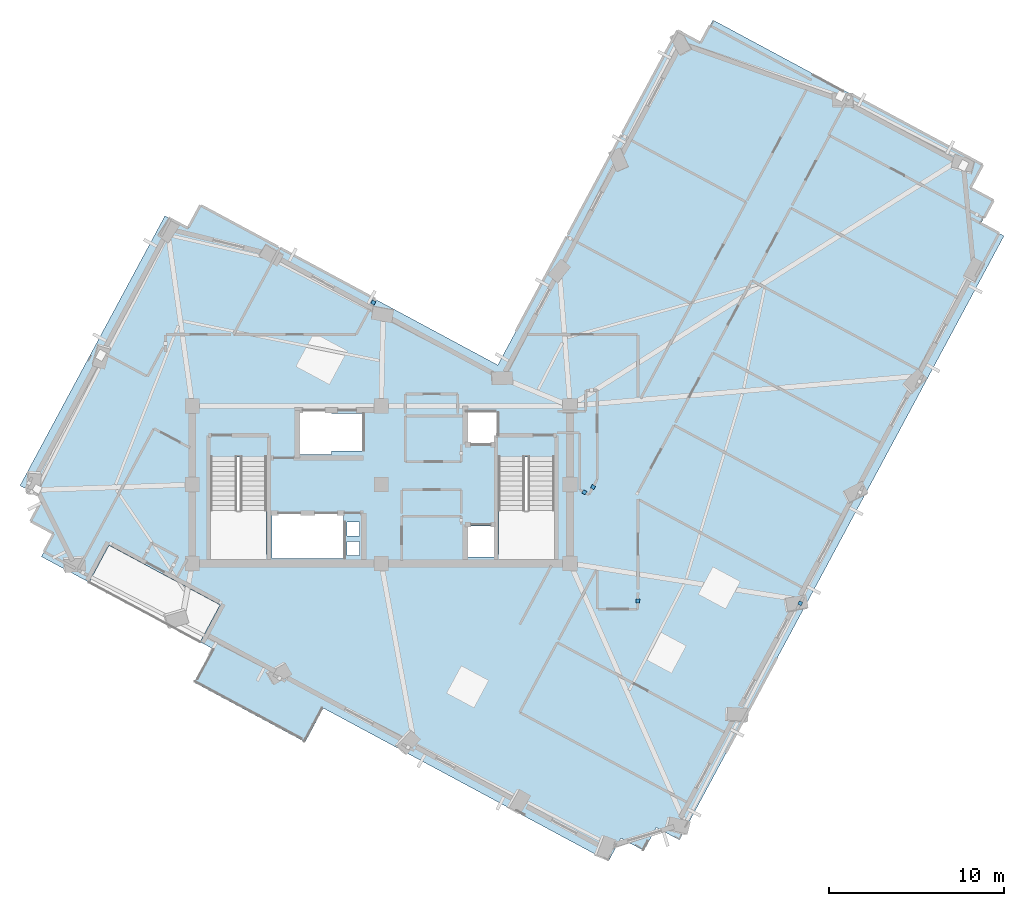
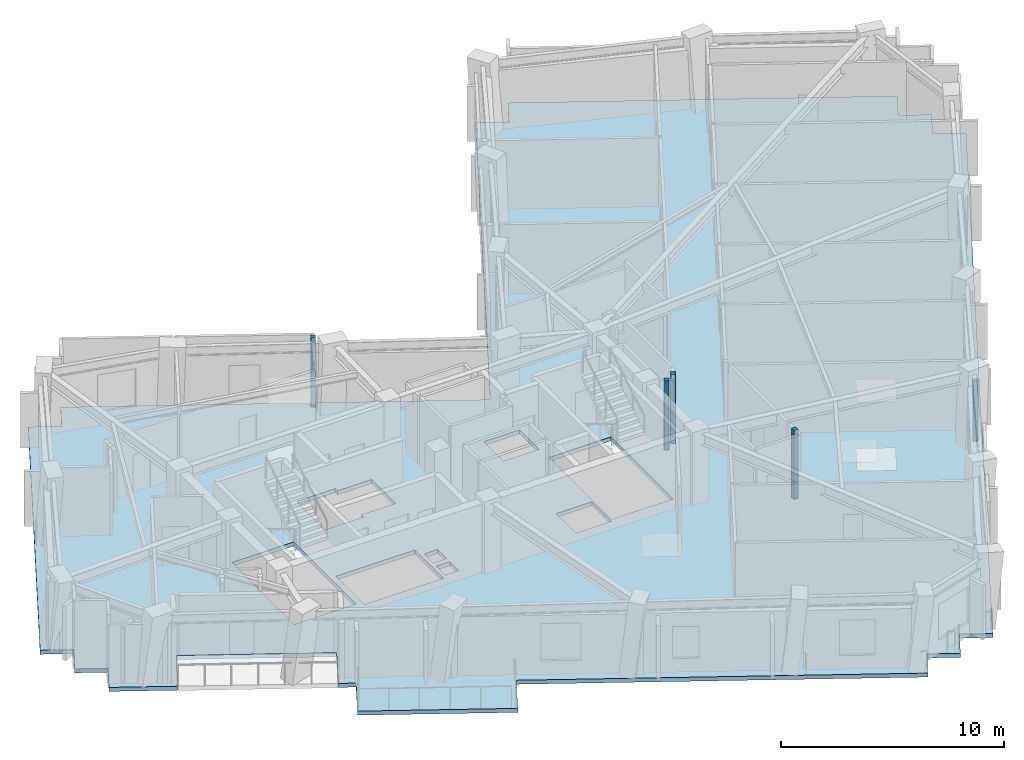
# One storey, part 4 of 14: 5 plates, 1 slab.
"""IFC4 building model written with IfcOpenShell, lengths in metres."""

import ifcopenshell
import ifcopenshell.guid

model = None  # the IFC model being written
_history = None  # IfcOwnerHistory: only IFC2X3 demands one
_inside = {}  # id of a spatial element -> (the spatial element, [elements in it])
_under = {}  # id of a project, library or spatial element -> (it, [spatial elements below it])
_declared = {}  # id of a project -> (the project, [libraries it declares])
_typed = {}  # id of a type object -> (the type object, [elements of that type])
_made_of = {}  # id of a material, layer set ... -> (it, [elements and type objects made of it])


def new_model(schema):
    """Start an empty IFC model of exactly this schema.

    Asked for "IFC4X3", IfcOpenShell would pick the latest addendum, in which some entities
    have other attributes; the version numbers below select the first issue.
    IFC2X3 requires an IfcOwnerHistory on every rooted entity: one is made here for all.
    """
    global model, _history
    if schema == "IFC4X3":
        model = ifcopenshell.file(schema_version=(4, 3, 0, 0))
    else:
        model = ifcopenshell.file(schema=schema)
    _inside.clear()
    _under.clear()
    _declared.clear()
    _typed.clear()
    _made_of.clear()
    _history = None
    if model.schema == "IFC2X3":
        org = make("IfcOrganization", Name="unknown")
        user = make(
            "IfcPersonAndOrganization",
            ThePerson=make("IfcPerson", FamilyName="unknown"),
            TheOrganization=org,
        )
        app = make(
            "IfcApplication",
            ApplicationDeveloper=org,
            Version="unknown",
            ApplicationFullName="unknown",
            ApplicationIdentifier="unknown",
        )
        _history = make(
            "IfcOwnerHistory",
            OwningUser=user,
            OwningApplication=app,
            ChangeAction="ADDED",
            CreationDate=0,
        )
    return model


def make(cls, **values):
    """One entity of the class cls with the attributes given. An attribute that is None is left unset."""
    return model.create_entity(
        cls, **{name: value for name, value in values.items() if value is not None}
    )


def rooted(cls, **values):
    """An entity with a GlobalId (a new one), such as an element, a storey or a relation."""
    return make(cls, GlobalId=ifcopenshell.guid.new(), OwnerHistory=_history, **values)


def si_unit(unit_type, name, prefix=None):
    """IfcSIUnit, for example si_unit("LENGTHUNIT", "METRE", prefix="MILLI")."""
    return make("IfcSIUnit", UnitType=unit_type, Prefix=prefix, Name=name)


def assignment(units):
    """IfcUnitAssignment: the units of a project."""
    return None if units is None else make("IfcUnitAssignment", Units=units)


def point(xyz):
    """IfcCartesianPoint."""
    return None if xyz is None else make("IfcCartesianPoint", Coordinates=xyz)


def direction(xyz):
    """IfcDirection."""
    return None if xyz is None else make("IfcDirection", DirectionRatios=xyz)


def frame(location, z_axis=None, x_axis=None):
    """IfcAxis2Placement3D, a coordinate frame: its origin and axes. An axis left out is left unset."""
    return make(
        "IfcAxis2Placement3D",
        Location=point(location),
        Axis=direction(z_axis),
        RefDirection=direction(x_axis),
    )


def frame_2d(location, x_axis=None):
    """IfcAxis2Placement2D, a coordinate frame in the plane: its origin and x axis."""
    return make(
        "IfcAxis2Placement2D", Location=point(location), RefDirection=direction(x_axis)
    )


def origin():
    """The frame at (0, 0, 0) with its axes left unset."""
    return frame((0.0, 0.0, 0.0))


def origin_2d():
    """The frame at (0, 0) in the plane with its x axis left unset."""
    return frame_2d((0.0, 0.0))


def place(relative_to, where):
    """IfcLocalPlacement: puts the frame where relative to a parent placement (None: the world)."""
    return make(
        "IfcLocalPlacement", PlacementRelTo=relative_to, RelativePlacement=where
    )


def context(
    kind, dimensions, precision=None, world=None, true_north=None, identifier=None
):
    """IfcGeometricRepresentationContext, for example the 3D "Model" context."""
    return make(
        "IfcGeometricRepresentationContext",
        ContextIdentifier=identifier,
        ContextType=kind,
        CoordinateSpaceDimension=dimensions,
        Precision=precision,
        WorldCoordinateSystem=world,
        TrueNorth=true_north,
    )


def subcontext(parent, identifier, kind, view, scale=None):
    """IfcGeometricRepresentationSubContext, for example "Body" below "Model"."""
    return make(
        "IfcGeometricRepresentationSubContext",
        ContextIdentifier=identifier,
        ContextType=kind,
        ParentContext=parent,
        TargetScale=scale,
        TargetView=view,
    )


def project(units=None, contexts=None):
    """IfcProject with its units and contexts."""
    return rooted(
        "IfcProject",
        Name="project",
        RepresentationContexts=contexts,
        UnitsInContext=assignment(units),
    )


def spatial(cls, under=None, at=None, **own):
    """A site, building, storey or space (cls), placed at a placement, below another one or the project."""
    s = rooted(cls, ObjectPlacement=at, **own)
    if under is not None:
        _under.setdefault(under.id(), (under, []))[1].append(s)
    return s


def polyline(points):
    """IfcPolyline through the points."""
    return make("IfcPolyline", Points=[point(p) for p in points])


def profile(cls, at=None, kind="AREA", **sizes):
    """A parametric profile (cls). Its sizes go by their IFC names, for example OverallWidth=200.0."""
    return make(cls, ProfileType=kind, Position=at, **sizes)


def rectangle(**sizes):
    """IfcRectangleProfileDef."""
    return profile("IfcRectangleProfileDef", **sizes)


def outline(outer, holes=None, kind="AREA"):
    """IfcArbitraryClosedProfileDef: a profile drawn as a closed curve; with holes, ...WithVoids."""
    if holes is None:
        return make("IfcArbitraryClosedProfileDef", ProfileType=kind, OuterCurve=outer)
    return make(
        "IfcArbitraryProfileDefWithVoids",
        ProfileType=kind,
        OuterCurve=outer,
        InnerCurves=holes,
    )


def extrude(swept, where, along, depth):
    """IfcExtrudedAreaSolid: the profile swept, set in the frame where, extruded along a direction by depth."""
    return make(
        "IfcExtrudedAreaSolid",
        SweptArea=swept,
        Position=where,
        ExtrudedDirection=direction(along),
        Depth=depth,
    )


def shape(context_of_items, identifier, shape_type, items):
    """IfcShapeRepresentation: the items that make up one representation, for example the "Body"."""
    return make(
        "IfcShapeRepresentation",
        ContextOfItems=context_of_items,
        RepresentationIdentifier=identifier,
        RepresentationType=shape_type,
        Items=items,
    )


def material(Name=None, Category=None):
    """IfcMaterial."""
    return make("IfcMaterial", Name=Name, Category=Category)


def layer(
    of_material, thickness, ventilated=None, Name=None, Category=None, Priority=None
):
    """IfcMaterialLayer: one layer of a wall or slab, of a material (None: an air gap)."""
    return make(
        "IfcMaterialLayer",
        Material=of_material,
        LayerThickness=thickness,
        IsVentilated=ventilated,
        Name=Name,
        Category=Category,
        Priority=Priority,
    )


def layer_set(layers, Name=None):
    """IfcMaterialLayerSet."""
    return make("IfcMaterialLayerSet", MaterialLayers=layers, LayerSetName=Name)


def made_of(thing, what):
    """Note that an element or type object is made of a material, layer set ...; save() writes the relation."""
    if what is not None:
        _made_of.setdefault(what.id(), (what, []))[1].append(thing)
    return thing


def type_object(cls, material=None, **own):
    """A type object (cls), such as IfcWallType, which elements share."""
    return made_of(rooted(cls, **own), material)


def element(
    cls,
    number,
    at=None,
    inside=None,
    cuts=None,
    type_object=None,
    material=None,
    context=None,
    identifier="Body",
    shape_type=None,
    held_by="IfcProductDefinitionShape",
    body=None,
    shapes=None,
    **own,
):
    """One element of the class cls, such as IfcWall. Its Tag is "e" and its number.

    at: its placement. inside: the storey or other place that contains it. cuts: it is an
    opening in that element (IfcRelVoidsElement). A single representation is given by context,
    identifier, shape_type and body (its items); several are given by shapes. held_by: the class
    of the entity that holds the representations. save() writes the other relations.
    """
    e = rooted(cls, Tag="e%d" % number, ObjectPlacement=at, **own)
    if body is not None:
        shapes = [shape(context, identifier, shape_type, body)]
    if shapes is not None:
        e.Representation = make(held_by, Representations=shapes)
    if inside is not None:
        _inside.setdefault(inside.id(), (inside, []))[1].append(e)
    if cuts is not None:
        rooted(
            "IfcRelVoidsElement", RelatingBuildingElement=cuts, RelatedOpeningElement=e
        )
    if type_object is not None:
        _typed.setdefault(type_object.id(), (type_object, []))[1].append(e)
    return made_of(e, material)


def aggregate(whole, parts):
    """IfcRelAggregates: a whole, such as a stair, and the parts it consists of."""
    return rooted("IfcRelAggregates", RelatingObject=whole, RelatedObjects=parts)


def save(model, path):
    """Write the relations noted so far, then the file.

    IfcRelAggregates (storeys below a building ...), IfcRelContainedInSpatialStructure (elements
    in a storey), IfcRelDefinesByType, IfcRelAssociatesMaterial and IfcRelDeclares: one each for
    every whole, place, type object, material and project.
    """
    for whole, parts in _under.values():
        aggregate(whole, parts)
    for where, things in _inside.values():
        rooted(
            "IfcRelContainedInSpatialStructure",
            RelatedElements=things,
            RelatingStructure=where,
        )
    for kind, things in _typed.values():
        rooted("IfcRelDefinesByType", RelatedObjects=things, RelatingType=kind)
    for what, things in _made_of.values():
        rooted("IfcRelAssociatesMaterial", RelatedObjects=things, RelatingMaterial=what)
    for by, libraries in _declared.values():
        rooted("IfcRelDeclares", RelatingContext=by, RelatedDefinitions=libraries)
    model.write(path)


model = new_model("IFC4")

# Units and contexts
model_context = context("Model", 3, precision=1e-05, world=origin(), true_north=direction((0.0, 1.0)))
body_context = subcontext(model_context, "Body", "Model", "MODEL_VIEW")
ifc_project = project(units=[si_unit("LENGTHUNIT", "METRE"), si_unit("AREAUNIT", "SQUARE_METRE"), si_unit("VOLUMEUNIT", "CUBIC_METRE"), si_unit("PLANEANGLEUNIT", "RADIAN"), si_unit("MASSUNIT", "GRAM", prefix="KILO")], contexts=[model_context])

# Site, building, storey
site_placement = place(None, origin())
site = spatial("IfcSite", under=ifc_project, at=site_placement, CompositionType="ELEMENT")
building_placement = place(site_placement, origin())
building = spatial("IfcBuilding", under=site, at=building_placement, Name="Gaonmaruhae Medical Tower", CompositionType="ELEMENT")
storey_placement = place(building_placement, frame((0.0, 0.0, 288.60009765625)))
storey = spatial("IfcBuildingStorey", under=building, at=storey_placement, Name="L69", CompositionType="ELEMENT", Elevation=288.60009765625)

# Slab
ifc_material_1 = material(Name="Concrete C40/50", Category="concrete")
ifc_layer_1 = layer(ifc_material_1, 0.219970703125)
ifc_layer_set_1 = layer_set([ifc_layer_1], Name="Concrete C40/50")
slab_type = type_object("IfcSlabType", Name="FS-220 Clinical Ward Composite Floor Slab", PredefinedType="FLOOR", material=ifc_layer_set_1)
slab_placement = place(storey_placement, frame((0.0, 0.0, -0.22021484375)))
element("IfcSlab", 1, at=slab_placement, inside=storey, type_object=slab_type, Name="L69 Structural Slab 1", PredefinedType="FLOOR", context=body_context, shape_type="SweptSolid", body=[
    extrude(outline(polyline([(6.081787109375, 9.502685546875), (4.760498046875, 10.212890625), (5.470458984375, 11.5341796875), (4.149169921875, 12.244140625), (12.432373046875, 27.65966796875), (13.753662109375, 26.94970703125), (14.463623046875, 28.27099609375), (31.46484375, 19.135986328125), (41.73583984375, 38.251220703125), (43.05712890625, 37.541259765625), (43.76708984375, 38.86279296875), (59.1826171875, 30.57958984375), (58.472900390625, 29.25830078125), (59.794189453125, 28.54833984375), (59.083984375, 27.226806640625), (60.405517578125, 26.51708984375), (41.851318359375, -8.013916015625), (40.530029296875, -7.303955078125), (39.820068359375, -8.625244140625), (38.498779296875, -7.915283203125), (37.788818359375, -9.23681640625), (21.4921875, -0.480224609375), (20.450927734375, -2.418212890625), (14.1083984375, 0.98974609375), (15.14990234375, 2.927490234375), (14.445068359375, 3.306396484375), (15.5810546875, 5.42041015625), (9.238525390625, 8.828369140625), (8.102783203125, 6.714111328125), (5.371826171875, 8.181396484375), (6.081787109375, 9.502685546875)]), holes=[polyline([(23.550048828125, 8.25), (22.85009765625, 8.25), (22.85009765625, 9.050048828125), (23.550048828125, 9.050048828125), (23.550048828125, 8.25)]), polyline([(29.574951171875, 9.925048828125), (31.425048828125, 9.925048828125), (31.425048828125, 8.175048828125), (29.574951171875, 8.175048828125), (29.574951171875, 9.925048828125)]), polyline([(18.550048828125, 10.625), (22.64990234375, 10.625), (22.64990234375, 8.074951171875), (18.550048828125, 8.074951171875), (18.550048828125, 10.625)]), polyline([(23.550048828125, 9.35009765625), (22.85009765625, 9.35009765625), (22.85009765625, 10.14990234375), (23.550048828125, 10.14990234375), (23.550048828125, 9.35009765625)]), polyline([(15.050048828125, 13.889892578125), (18.25, 13.889892578125), (18.25, 8.300048828125), (15.050048828125, 8.300048828125), (15.050048828125, 13.889892578125)]), polyline([(31.5, 13.889892578125), (34.699951171875, 13.889892578125), (34.699951171875, 8.300048828125), (31.5, 8.300048828125), (31.5, 13.889892578125)]), polyline([(23.72509765625, 14.22509765625), (21.949951171875, 14.22509765625), (21.949951171875, 14.02490234375), (19.949951171875, 14.02490234375), (19.949951171875, 16.574951171875), (21.949951171875, 16.574951171875), (21.949951171875, 16.375), (23.72509765625, 16.375), (23.72509765625, 14.22509765625)]), polyline([(31.425048828125, 16.425048828125), (31.425048828125, 14.675048828125), (29.574951171875, 14.675048828125), (29.574951171875, 16.425048828125), (31.425048828125, 16.425048828125)])]), origin(), (0.0, 0.0, 1.0), 0.22021484375),
])

# Plates
ifc_material_2 = material(Name="Anodised aluminium 6063-T6", Category="aluminium")
ifc_layer_2 = layer(ifc_material_2, 0.011962890625)
ifc_layer_set_2 = layer_set([ifc_layer_2], Name="Anodised aluminium 6063-T6")
plate_type = type_object("IfcPlateType", Name="PP-01 Interior Partition Corner Stiffener Plate", PredefinedType="SHEET", material=ifc_layer_set_2)
plate_1_placement = place(storey_placement, frame((39.470458984375, 5.653076171875, 0.0), z_axis=(0.0, 0.0, 1.0), x_axis=(0.019738391922, 0.999805178965, 0.0)))
element("IfcPlate", 2, at=plate_1_placement, inside=storey, type_object=plate_type, Name="L69 Partition Corner Stiffener Plate PLT-L69-JGP-PW018", PredefinedType="SHEET", context=body_context, shape_type="SweptSolid", body=[
    extrude(rectangle(XDim=0.219970703125, YDim=0.219970703125, at=origin_2d()), origin(), (0.0, 0.0, 1.0), 3.780029296875),
])
plate_2_placement = place(storey_placement, frame((48.756591796875, 5.513916015625, 0.0), z_axis=(0.0, 0.0, 1.0), x_axis=(-0.473719353975, -0.880675861864, 0.0)))
element("IfcPlate", 3, at=plate_2_placement, inside=storey, type_object=plate_type, Name="L69 Partition Corner Stiffener Plate PLT-L69-JGP-PW023", PredefinedType="SHEET", context=body_context, shape_type="SweptSolid", body=[
    extrude(rectangle(XDim=0.219970703125, YDim=0.219970703125, at=origin_2d()), origin(), (0.0, 0.0, 1.0), 3.264892578125),
])
for number, where, z_axis, x_axis, name in (
    (4, (36.91259765625, 12.16162109375, 0.0), (0.0, 0.0, 1.0), (-0.472904504665, -0.881113687028, 0.0), "L69 Partition Corner Stiffener Plate PLT-L69-JGP-PW070"),
    (5, (36.41259765625, 11.860107421875, 0.0), (0.0, 0.0, 1.0), (-0.880956817511, 0.473196667022, 0.0), "L69 Partition Corner Stiffener Plate PLT-L69-JGP-PW071"),
    (6, (24.35009765625, 22.7119140625, 0.0), (0.0, 0.0, 1.0), (-0.472735334267, -0.881204461936, 0.0), "L69 Partition Corner Stiffener Plate PLT-L69-JGP-PW092"),
):
    element("IfcPlate", number, at=place(storey_placement, frame(where, z_axis=z_axis, x_axis=x_axis)), inside=storey, type_object=plate_type, Name=name, PredefinedType="SHEET", context=body_context, shape_type="SweptSolid", body=[
        extrude(rectangle(XDim=0.219970703125, YDim=0.219970703125, at=origin_2d()), origin(), (0.0, 0.0, 1.0), 3.780029296875),
    ])

save(model, "model.ifc")
